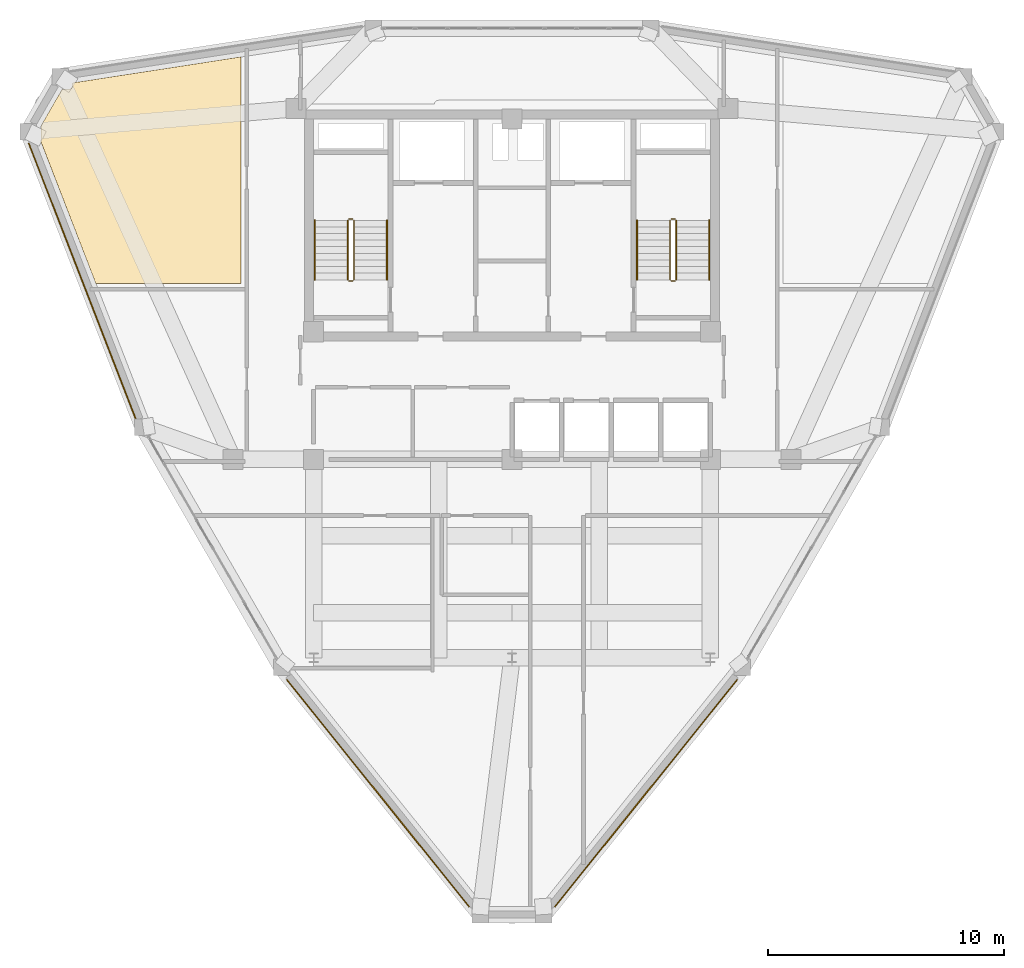
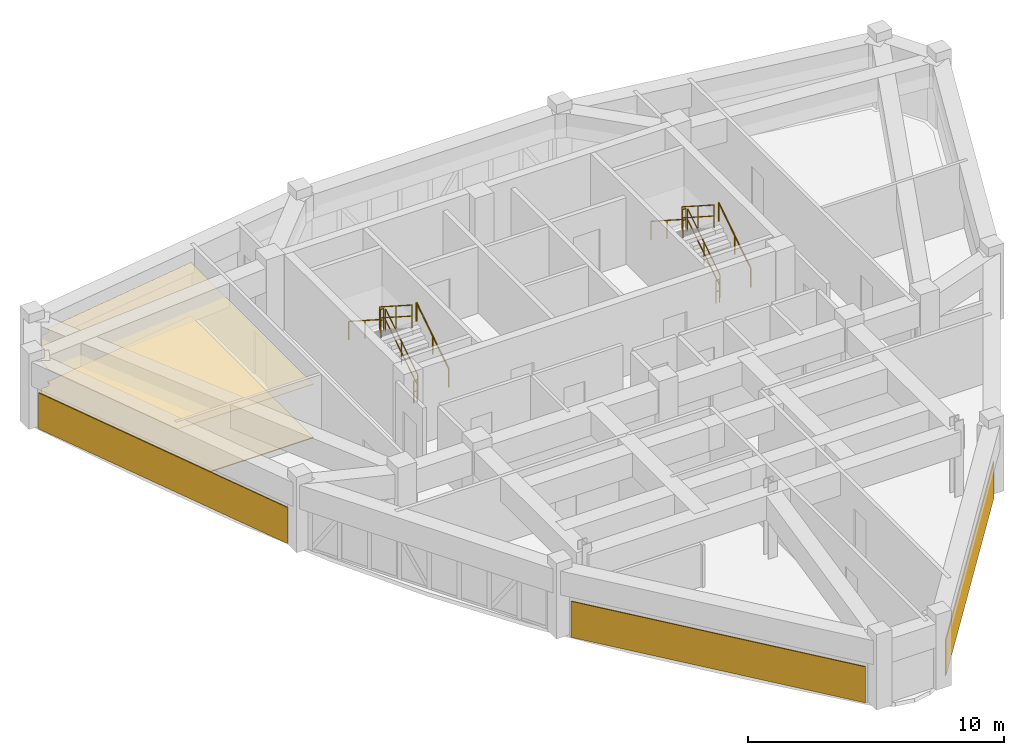
# One storey, part 13 of 14: 12 railings, 5 coverings.
"""IFC4 building model written with IfcOpenShell, lengths in metres."""

from ifc_helpers import new_model, si_unit, derived_unit, direction, frame, origin, origin_2d, place, context, subcontext, project, spatial, polyline, circle, outline, extrude, material, layer, layer_set, type_object, element, save


model = new_model("IFC4")

# Units and contexts
model_context = context("Model", 3, precision=1e-05, world=origin(), true_north=direction((0.0, 1.0)))
body_context = subcontext(model_context, "Body", "Model", "MODEL_VIEW")
ifc_project = project(units=[si_unit("LENGTHUNIT", "METRE"), si_unit("AREAUNIT", "SQUARE_METRE"), si_unit("VOLUMEUNIT", "CUBIC_METRE"), si_unit("PLANEANGLEUNIT", "RADIAN"), si_unit("MASSUNIT", "GRAM", prefix="KILO"), derived_unit("THERMALTRANSMITTANCEUNIT", [(si_unit("POWERUNIT", "WATT"), 1), (si_unit("LENGTHUNIT", "METRE"), -2), (si_unit("THERMODYNAMICTEMPERATUREUNIT", "KELVIN"), -1)])], contexts=[model_context])

# Site, building, storey
site_placement = place(None, origin())
site = spatial("IfcSite", under=ifc_project, at=site_placement, CompositionType="ELEMENT")
building_placement = place(site_placement, origin())
building = spatial("IfcBuilding", under=site, at=building_placement, Name="Korsvarv Bourse and Concert Hall", CompositionType="ELEMENT")
storey_placement = place(building_placement, frame((0.0, 0.0, 271.800048828125)))
storey = spatial("IfcBuildingStorey", under=building, at=storey_placement, Name="L71", CompositionType="ELEMENT", Elevation=271.800048828125)

# Coverings
ifc_material_1 = material(Name="Perforated mineral-wool and birch acoustic baffle ceiling", Category="wood")
ifc_layer_1 = layer(ifc_material_1, 0.02490234375)
ifc_layer_set_1 = layer_set([ifc_layer_1], Name="Perforated mineral-wool and birch acoustic baffle ceiling")
covering_type_1 = type_object("IfcCoveringType", Name="COV-CEIL-1", PredefinedType="CEILING", material=ifc_layer_set_1)
covering_1_placement = place(storey_placement, frame((0.0, 0.0, 2.56005859375)))
element("IfcCovering", 1, at=covering_1_placement, inside=storey, type_object=covering_type_1, Name="L71 acoustic baffle ceiling 1", PredefinedType="CEILING", context=body_context, shape_type="SweptSolid", body=[
    extrude(outline(polyline([(16.052001953125, 45.868896484375), (16.055908203125, 45.903564453125), (16.065185546875, 46.520263671875), (16.952880859375, 48.05810546875), (17.221923828125, 48.05810546875), (17.256103515625, 48.061279296875), (17.289306640625, 48.071044921875), (17.31982421875, 48.0869140625), (17.3466796875, 48.108154296875), (17.369140625, 48.13427734375), (17.38623046875, 48.164306640625), (17.397216796875, 48.19677734375), (17.40185546875, 48.23095703125), (17.406005859375, 48.33642578125), (24.52001953125, 49.435791015625), (24.52001953125, 39.85009765625), (18.38134765625, 39.85009765625), (16.052001953125, 45.868896484375)])), origin(), (0.0, 0.0, 1.0), 0.02490234375),
])
ifc_material_2 = material(Name="Warm iron-oxide extruded terracotta rainscreen tile", Category="ceramic")
ifc_layer_2 = layer(ifc_material_2, 0.044921875)
ifc_layer_set_2 = layer_set([ifc_layer_2], Name="Warm iron-oxide extruded terracotta rainscreen tile")
covering_type_2 = type_object("IfcCoveringType", Name="COV-CLD-TC", PredefinedType="CLADDING", material=ifc_layer_set_2)
covering_2_placement = place(storey_placement, origin())
element("IfcCovering", 2, at=covering_2_placement, inside=storey, type_object=covering_type_2, Name="L71 fluted terracotta cladding panel EW-L71-B06", PredefinedType="CLADDING", context=body_context, shape_type="SweptSolid", body=[
    extrude(outline(polyline([(15.566650390625, 45.787841796875), (20.088134765625, 34.140380859375), (20.046142578125, 34.124267578125), (15.52490234375, 45.771484375), (15.566650390625, 45.787841796875)])), origin(), (0.0, 0.0, 1.0), 1.719970703125),
])
covering_3_placement = place(storey_placement, origin())
element("IfcCovering", 3, at=covering_3_placement, inside=storey, type_object=covering_type_2, Name="L71 fluted terracotta cladding panel EW-L71-B08", PredefinedType="CLADDING", context=body_context, shape_type="SweptSolid", body=[
    extrude(outline(polyline([(26.48046875, 23.091552734375), (34.213134765625, 13.468505859375), (34.177978515625, 13.440185546875), (26.4453125, 23.0634765625), (26.48046875, 23.091552734375)])), origin(), (0.0, 0.0, 1.0), 1.719970703125),
])
covering_4_placement = place(storey_placement, origin())
element("IfcCovering", 4, at=covering_4_placement, inside=storey, type_object=covering_type_2, Name="L71 fluted terracotta cladding panel EW-L71-B10", PredefinedType="CLADDING", context=body_context, shape_type="SweptSolid", body=[
    extrude(outline(polyline([(37.786865234375, 13.468505859375), (45.51953125, 23.091552734375), (45.5546875, 23.0634765625), (37.822021484375, 13.440185546875), (37.786865234375, 13.468505859375)])), origin(), (0.0, 0.0, 1.0), 1.719970703125),
])
ifc_material_3 = material(Name="Calcium-sulphate raised access trading floor with Nordic oak top", Category="wood")
ifc_layer_3 = layer(ifc_material_3, 0.0400390625)
ifc_layer_set_3 = layer_set([ifc_layer_3], Name="Calcium-sulphate raised access trading floor with Nordic oak top")
covering_type_3 = type_object("IfcCoveringType", Name="COV-FLOR-1", PredefinedType="FLOORING", material=ifc_layer_set_3)
covering_5_placement = place(storey_placement, origin())
element("IfcCovering", 5, at=covering_5_placement, inside=storey, type_object=covering_type_3, Name="L71 raised access oak floor finish 1", PredefinedType="FLOORING", context=body_context, shape_type="SweptSolid", body=[
    extrude(outline(polyline([(16.052001953125, 45.868896484375), (16.055908203125, 45.903564453125), (16.065185546875, 46.520263671875), (16.952880859375, 48.05810546875), (17.221923828125, 48.05810546875), (17.256103515625, 48.061279296875), (17.289306640625, 48.071044921875), (17.31982421875, 48.0869140625), (17.3466796875, 48.108154296875), (17.369140625, 48.13427734375), (17.38623046875, 48.164306640625), (17.397216796875, 48.19677734375), (17.40185546875, 48.23095703125), (17.406005859375, 48.33642578125), (24.52001953125, 49.435791015625), (24.52001953125, 39.85009765625), (18.38134765625, 39.85009765625), (16.052001953125, 45.868896484375)])), origin(), (0.0, 0.0, 1.0), 0.0400390625),
])

# Railings
ifc_material_4 = material(Name="Painted Steel S355 stair well guardrail", Category="steel")
railing_type_1 = type_object("IfcRailingType", Name="RL-ST-GRD", PredefinedType="GUARDRAIL", material=ifc_material_4)
railing_1_placement = place(storey_placement, frame((29.31005859375, 40.0, 0.179931640625)))
element("IfcRailing", 6, at=railing_1_placement, inside=storey, type_object=railing_type_1, Name="L71 ST-T1 stair guard 1", PredefinedType="GUARDRAIL", context=body_context, shape_type="SweptSolid", body=[
    extrude(circle(Radius=0.02392578125, at=origin_2d()), frame((0.0, 0.0, 1.076171875), z_axis=(0.0, 0.841162588446, 0.540782303519), x_axis=(-1.0, 0.0, 0.0)), (0.0, 0.0, 1.0), 2.995849609375),
    extrude(circle(Radius=0.02392578125, at=origin_2d()), frame((0.0, 0.0, 0.550048828125), z_axis=(0.0, 0.841162588446, 0.540782303519), x_axis=(-1.0, 0.0, 0.0)), (0.0, 0.0, 1.0), 2.995849609375),
    extrude(circle(Radius=0.02099609375, at=origin_2d()), origin(), (0.0, 0.0, 1.0), 1.052001953125),
    extrude(circle(Radius=0.02099609375, at=origin_2d()), frame((0.0, 1.260009765625, 0.81005859375)), (0.0, 0.0, 1.0), 1.052001953125),
    extrude(circle(Radius=0.02099609375, at=origin_2d()), frame((0.0, 2.52001953125, 1.6201171875)), (0.0, 0.0, 1.0), 1.052001953125),
])
railing_2_placement = place(storey_placement, frame((29.260009765625, 42.570068359375, 1.800048828125)))
element("IfcRailing", 7, at=railing_2_placement, inside=storey, type_object=railing_type_1, Name="L71 ST-T1 stair guard 2", PredefinedType="GUARDRAIL", context=body_context, shape_type="SweptSolid", body=[
    extrude(circle(Radius=0.02392578125, at=origin_2d()), frame((0.0, 0.0, 1.076171875), z_axis=(-1.0, 0.0, 0.0), x_axis=(0.0, -1.0, 0.0)), (0.0, 0.0, 1.0), 0.159912109375),
    extrude(circle(Radius=0.02392578125, at=origin_2d()), frame((0.0, 0.0, 0.550048828125), z_axis=(-1.0, 0.0, 0.0), x_axis=(0.0, -1.0, 0.0)), (0.0, 0.0, 1.0), 0.159912109375),
    extrude(circle(Radius=0.02099609375, at=origin_2d()), origin(), (0.0, 0.0, 1.0), 1.052001953125),
    extrude(circle(Radius=0.02099609375, at=origin_2d()), frame((-0.159912109375, 0.0, 0.0)), (0.0, 0.0, 1.0), 1.052001953125),
])
railing_3_placement = place(storey_placement, frame((29.050048828125, 42.52001953125, 1.97998046875)))
element("IfcRailing", 8, at=railing_3_placement, inside=storey, type_object=railing_type_1, Name="L71 ST-T1 stair guard 3", PredefinedType="GUARDRAIL", context=body_context, shape_type="SweptSolid", body=[
    extrude(circle(Radius=0.02392578125, at=origin_2d()), frame((0.0, 0.0, 1.076171875), z_axis=(0.0, -0.841199657755, 0.540724639528), x_axis=(1.0, 0.0, 0.0)), (0.0, 0.0, 1.0), 2.995849609375),
    extrude(circle(Radius=0.02392578125, at=origin_2d()), frame((0.0, 0.0, 0.550048828125), z_axis=(0.0, -0.841199657755, 0.540724639528), x_axis=(1.0, 0.0, 0.0)), (0.0, 0.0, 1.0), 2.995849609375),
    extrude(circle(Radius=0.02099609375, at=origin_2d()), origin(), (0.0, 0.0, 1.0), 1.052001953125),
    extrude(circle(Radius=0.02099609375, at=origin_2d()), frame((0.0, -1.260009765625, 0.81005859375)), (0.0, 0.0, 1.0), 1.052001953125),
    extrude(circle(Radius=0.02099609375, at=origin_2d()), frame((0.0, -2.52001953125, 1.619873046875)), (0.0, 0.0, 1.0), 1.052001953125),
])
railing_4_placement = place(storey_placement, frame((29.260009765625, 39.949951171875, 0.0)))
element("IfcRailing", 9, at=railing_4_placement, inside=storey, type_object=railing_type_1, Name="L71 ST-T1 stair guard 4", PredefinedType="GUARDRAIL", context=body_context, shape_type="SweptSolid", body=[
    extrude(circle(Radius=0.02392578125, at=origin_2d()), frame((0.0, 0.0, 1.076171875), z_axis=(-1.0, 0.0, 0.0), x_axis=(0.0, -1.0, 0.0)), (0.0, 0.0, 1.0), 0.159912109375),
    extrude(circle(Radius=0.02392578125, at=origin_2d()), frame((0.0, 0.0, 0.550048828125), z_axis=(-1.0, 0.0, 0.0), x_axis=(0.0, -1.0, 0.0)), (0.0, 0.0, 1.0), 0.159912109375),
    extrude(circle(Radius=0.02099609375, at=origin_2d()), origin(), (0.0, 0.0, 1.0), 1.052001953125),
    extrude(circle(Radius=0.02099609375, at=origin_2d()), frame((-0.159912109375, 0.0, 0.0)), (0.0, 0.0, 1.0), 1.052001953125),
])
railing_5_placement = place(storey_placement, frame((42.949951171875, 40.0, 0.179931640625)))
element("IfcRailing", 10, at=railing_5_placement, inside=storey, type_object=railing_type_1, Name="L71 ST-T2 stair guard 1", PredefinedType="GUARDRAIL", context=body_context, shape_type="SweptSolid", body=[
    extrude(circle(Radius=0.02392578125, at=origin_2d()), frame((0.0, 0.0, 1.076171875), z_axis=(0.0, 0.841162588446, 0.540782303519), x_axis=(-1.0, 0.0, 0.0)), (0.0, 0.0, 1.0), 2.995849609375),
    extrude(circle(Radius=0.02392578125, at=origin_2d()), frame((0.0, 0.0, 0.550048828125), z_axis=(0.0, 0.841162588446, 0.540782303519), x_axis=(-1.0, 0.0, 0.0)), (0.0, 0.0, 1.0), 2.995849609375),
    extrude(circle(Radius=0.02099609375, at=origin_2d()), origin(), (0.0, 0.0, 1.0), 1.052001953125),
    extrude(circle(Radius=0.02099609375, at=origin_2d()), frame((0.0, 1.260009765625, 0.81005859375)), (0.0, 0.0, 1.0), 1.052001953125),
    extrude(circle(Radius=0.02099609375, at=origin_2d()), frame((0.0, 2.52001953125, 1.6201171875)), (0.0, 0.0, 1.0), 1.052001953125),
])
railing_6_placement = place(storey_placement, frame((42.89990234375, 42.570068359375, 1.800048828125)))
element("IfcRailing", 11, at=railing_6_placement, inside=storey, type_object=railing_type_1, Name="L71 ST-T2 stair guard 2", PredefinedType="GUARDRAIL", context=body_context, shape_type="SweptSolid", body=[
    extrude(circle(Radius=0.02392578125, at=origin_2d()), frame((0.0, 0.0, 1.076171875), z_axis=(-1.0, 0.0, 0.0), x_axis=(0.0, -1.0, 0.0)), (0.0, 0.0, 1.0), 0.159912109375),
    extrude(circle(Radius=0.02392578125, at=origin_2d()), frame((0.0, 0.0, 0.550048828125), z_axis=(-1.0, 0.0, 0.0), x_axis=(0.0, -1.0, 0.0)), (0.0, 0.0, 1.0), 0.159912109375),
    extrude(circle(Radius=0.02099609375, at=origin_2d()), origin(), (0.0, 0.0, 1.0), 1.052001953125),
    extrude(circle(Radius=0.02099609375, at=origin_2d()), frame((-0.159912109375, 0.0, 0.0)), (0.0, 0.0, 1.0), 1.052001953125),
])
railing_7_placement = place(storey_placement, frame((42.68994140625, 42.52001953125, 1.97998046875)))
element("IfcRailing", 12, at=railing_7_placement, inside=storey, type_object=railing_type_1, Name="L71 ST-T2 stair guard 3", PredefinedType="GUARDRAIL", context=body_context, shape_type="SweptSolid", body=[
    extrude(circle(Radius=0.02392578125, at=origin_2d()), frame((0.0, 0.0, 1.076171875), z_axis=(0.0, -0.841199657755, 0.540724639528), x_axis=(1.0, 0.0, 0.0)), (0.0, 0.0, 1.0), 2.995849609375),
    extrude(circle(Radius=0.02392578125, at=origin_2d()), frame((0.0, 0.0, 0.550048828125), z_axis=(0.0, -0.841199657755, 0.540724639528), x_axis=(1.0, 0.0, 0.0)), (0.0, 0.0, 1.0), 2.995849609375),
    extrude(circle(Radius=0.02099609375, at=origin_2d()), origin(), (0.0, 0.0, 1.0), 1.052001953125),
    extrude(circle(Radius=0.02099609375, at=origin_2d()), frame((0.0, -1.260009765625, 0.81005859375)), (0.0, 0.0, 1.0), 1.052001953125),
    extrude(circle(Radius=0.02099609375, at=origin_2d()), frame((0.0, -2.52001953125, 1.619873046875)), (0.0, 0.0, 1.0), 1.052001953125),
])
railing_8_placement = place(storey_placement, frame((42.89990234375, 39.949951171875, 0.0)))
element("IfcRailing", 13, at=railing_8_placement, inside=storey, type_object=railing_type_1, Name="L71 ST-T2 stair guard 4", PredefinedType="GUARDRAIL", context=body_context, shape_type="SweptSolid", body=[
    extrude(circle(Radius=0.02392578125, at=origin_2d()), frame((0.0, 0.0, 1.076171875), z_axis=(-1.0, 0.0, 0.0), x_axis=(0.0, -1.0, 0.0)), (0.0, 0.0, 1.0), 0.159912109375),
    extrude(circle(Radius=0.02392578125, at=origin_2d()), frame((0.0, 0.0, 0.550048828125), z_axis=(-1.0, 0.0, 0.0), x_axis=(0.0, -1.0, 0.0)), (0.0, 0.0, 1.0), 0.159912109375),
    extrude(circle(Radius=0.02099609375, at=origin_2d()), origin(), (0.0, 0.0, 1.0), 1.052001953125),
    extrude(circle(Radius=0.02099609375, at=origin_2d()), frame((-0.159912109375, 0.0, 0.0)), (0.0, 0.0, 1.0), 1.052001953125),
])
ifc_material_5 = material(Name="Brushed stainless Steel S355 tubular handrail", Category="steel")
railing_type_2 = type_object("IfcRailingType", Name="RL-ST-HND", PredefinedType="HANDRAIL", material=ifc_material_5)
railing_9_placement = place(storey_placement, frame((30.7099609375, 40.0, 0.179931640625)))
element("IfcRailing", 14, at=railing_9_placement, inside=storey, type_object=railing_type_2, Name="L71 ST-T1 stair handrail 1", PredefinedType="HANDRAIL", context=body_context, shape_type="SweptSolid", body=[
    extrude(circle(Radius=0.02392578125, at=origin_2d()), frame((0.0, 0.0, 0.8759765625), z_axis=(0.0, 0.841162588446, 0.540782303519), x_axis=(-1.0, 0.0, 0.0)), (0.0, 0.0, 1.0), 2.995849609375),
    extrude(circle(Radius=0.02099609375, at=origin_2d()), origin(), (0.0, 0.0, 1.0), 0.851806640625),
    extrude(circle(Radius=0.02099609375, at=origin_2d()), frame((0.0, 1.260009765625, 0.81005859375)), (0.0, 0.0, 1.0), 0.851806640625),
    extrude(circle(Radius=0.02099609375, at=origin_2d()), frame((0.0, 2.52001953125, 1.6201171875)), (0.0, 0.0, 1.0), 0.851806640625),
])
railing_10_placement = place(storey_placement, frame((27.64990234375, 42.52001953125, 1.97998046875)))
element("IfcRailing", 15, at=railing_10_placement, inside=storey, type_object=railing_type_2, Name="L71 ST-T1 stair handrail 2", PredefinedType="HANDRAIL", context=body_context, shape_type="SweptSolid", body=[
    extrude(circle(Radius=0.02392578125, at=origin_2d()), frame((0.0, 0.0, 0.8759765625), z_axis=(0.0, -0.841199657755, 0.540724639528), x_axis=(1.0, 0.0, 0.0)), (0.0, 0.0, 1.0), 2.995849609375),
    extrude(circle(Radius=0.02099609375, at=origin_2d()), origin(), (0.0, 0.0, 1.0), 0.851806640625),
    extrude(circle(Radius=0.02099609375, at=origin_2d()), frame((0.0, -1.260009765625, 0.81005859375)), (0.0, 0.0, 1.0), 0.851806640625),
    extrude(circle(Radius=0.02099609375, at=origin_2d()), frame((0.0, -2.52001953125, 1.619873046875)), (0.0, 0.0, 1.0), 0.851806640625),
])
railing_11_placement = place(storey_placement, frame((44.35009765625, 40.0, 0.179931640625)))
element("IfcRailing", 16, at=railing_11_placement, inside=storey, type_object=railing_type_2, Name="L71 ST-T2 stair handrail 1", PredefinedType="HANDRAIL", context=body_context, shape_type="SweptSolid", body=[
    extrude(circle(Radius=0.02392578125, at=origin_2d()), frame((0.0, 0.0, 0.8759765625), z_axis=(0.0, 0.841162588446, 0.540782303519), x_axis=(-1.0, 0.0, 0.0)), (0.0, 0.0, 1.0), 2.995849609375),
    extrude(circle(Radius=0.02099609375, at=origin_2d()), origin(), (0.0, 0.0, 1.0), 0.851806640625),
    extrude(circle(Radius=0.02099609375, at=origin_2d()), frame((0.0, 1.260009765625, 0.81005859375)), (0.0, 0.0, 1.0), 0.851806640625),
    extrude(circle(Radius=0.02099609375, at=origin_2d()), frame((0.0, 2.52001953125, 1.6201171875)), (0.0, 0.0, 1.0), 0.851806640625),
])
railing_12_placement = place(storey_placement, frame((41.2900390625, 42.52001953125, 1.97998046875)))
element("IfcRailing", 17, at=railing_12_placement, inside=storey, type_object=railing_type_2, Name="L71 ST-T2 stair handrail 2", PredefinedType="HANDRAIL", context=body_context, shape_type="SweptSolid", body=[
    extrude(circle(Radius=0.02392578125, at=origin_2d()), frame((0.0, 0.0, 0.8759765625), z_axis=(0.0, -0.841199657755, 0.540724639528), x_axis=(1.0, 0.0, 0.0)), (0.0, 0.0, 1.0), 2.995849609375),
    extrude(circle(Radius=0.02099609375, at=origin_2d()), origin(), (0.0, 0.0, 1.0), 0.851806640625),
    extrude(circle(Radius=0.02099609375, at=origin_2d()), frame((0.0, -1.260009765625, 0.81005859375)), (0.0, 0.0, 1.0), 0.851806640625),
    extrude(circle(Radius=0.02099609375, at=origin_2d()), frame((0.0, -2.52001953125, 1.619873046875)), (0.0, 0.0, 1.0), 0.851806640625),
])

save(model, "model.ifc")
